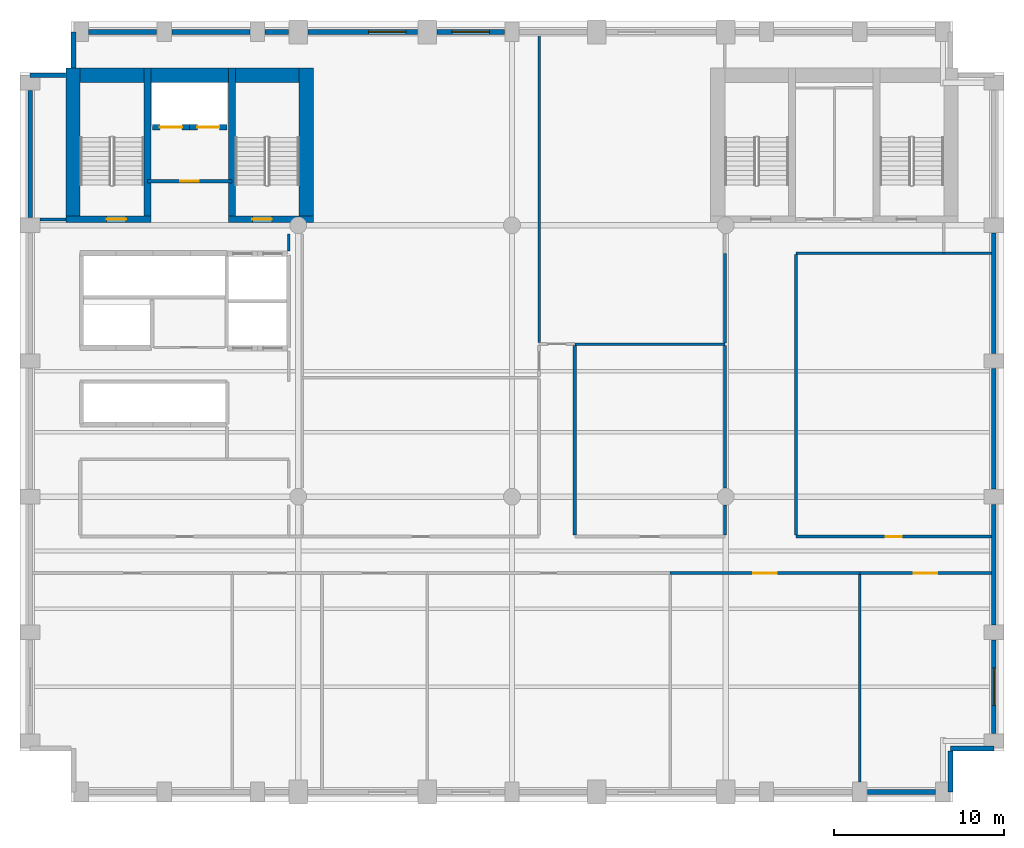
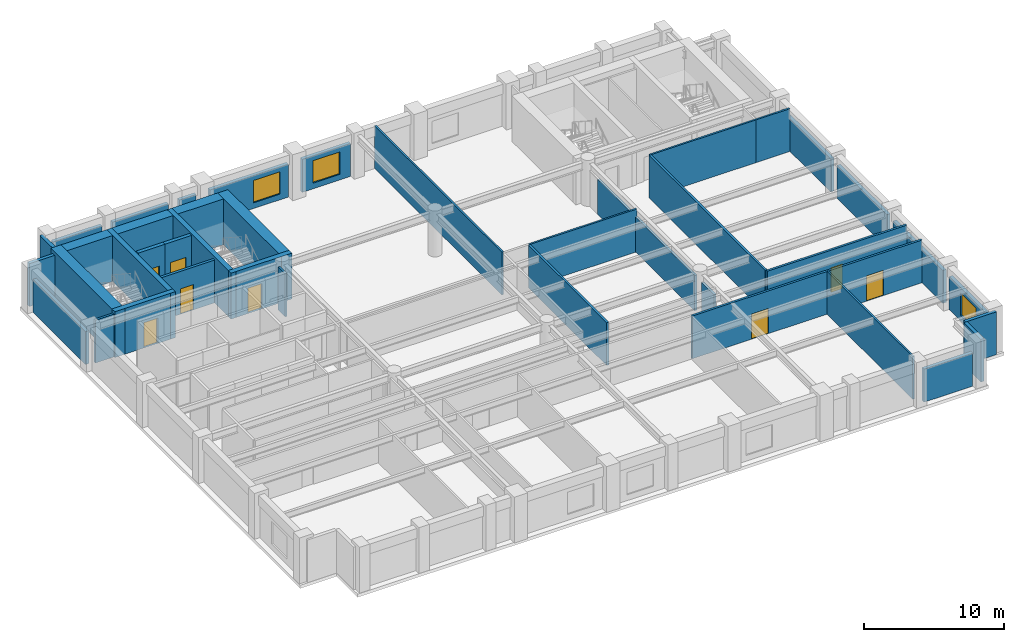
# One storey, part 4 of 7: 40 walls, 8 doors, 3 windows, 11 openings.
"""IFC4 building model written with IfcOpenShell, lengths in metres."""

import ifcopenshell
import ifcopenshell.guid

model = None  # the IFC model being written
_history = None  # IfcOwnerHistory: only IFC2X3 demands one
_inside = {}  # id of a spatial element -> (the spatial element, [elements in it])
_under = {}  # id of a project, library or spatial element -> (it, [spatial elements below it])
_declared = {}  # id of a project -> (the project, [libraries it declares])
_typed = {}  # id of a type object -> (the type object, [elements of that type])
_made_of = {}  # id of a material, layer set ... -> (it, [elements and type objects made of it])


def new_model(schema):
    """Start an empty IFC model of exactly this schema.

    Asked for "IFC4X3", IfcOpenShell would pick the latest addendum, in which some entities
    have other attributes; the version numbers below select the first issue.
    IFC2X3 requires an IfcOwnerHistory on every rooted entity: one is made here for all.
    """
    global model, _history
    if schema == "IFC4X3":
        model = ifcopenshell.file(schema_version=(4, 3, 0, 0))
    else:
        model = ifcopenshell.file(schema=schema)
    _inside.clear()
    _under.clear()
    _declared.clear()
    _typed.clear()
    _made_of.clear()
    _history = None
    if model.schema == "IFC2X3":
        org = make("IfcOrganization", Name="unknown")
        user = make(
            "IfcPersonAndOrganization",
            ThePerson=make("IfcPerson", FamilyName="unknown"),
            TheOrganization=org,
        )
        app = make(
            "IfcApplication",
            ApplicationDeveloper=org,
            Version="unknown",
            ApplicationFullName="unknown",
            ApplicationIdentifier="unknown",
        )
        _history = make(
            "IfcOwnerHistory",
            OwningUser=user,
            OwningApplication=app,
            ChangeAction="ADDED",
            CreationDate=0,
        )
    return model


def make(cls, **values):
    """One entity of the class cls with the attributes given. An attribute that is None is left unset."""
    return model.create_entity(
        cls, **{name: value for name, value in values.items() if value is not None}
    )


def rooted(cls, **values):
    """An entity with a GlobalId (a new one), such as an element, a storey or a relation."""
    return make(cls, GlobalId=ifcopenshell.guid.new(), OwnerHistory=_history, **values)


def si_unit(unit_type, name, prefix=None):
    """IfcSIUnit, for example si_unit("LENGTHUNIT", "METRE", prefix="MILLI")."""
    return make("IfcSIUnit", UnitType=unit_type, Prefix=prefix, Name=name)


def assignment(units):
    """IfcUnitAssignment: the units of a project."""
    return None if units is None else make("IfcUnitAssignment", Units=units)


def point(xyz):
    """IfcCartesianPoint."""
    return None if xyz is None else make("IfcCartesianPoint", Coordinates=xyz)


def direction(xyz):
    """IfcDirection."""
    return None if xyz is None else make("IfcDirection", DirectionRatios=xyz)


def frame(location, z_axis=None, x_axis=None):
    """IfcAxis2Placement3D, a coordinate frame: its origin and axes. An axis left out is left unset."""
    return make(
        "IfcAxis2Placement3D",
        Location=point(location),
        Axis=direction(z_axis),
        RefDirection=direction(x_axis),
    )


def frame_2d(location, x_axis=None):
    """IfcAxis2Placement2D, a coordinate frame in the plane: its origin and x axis."""
    return make(
        "IfcAxis2Placement2D", Location=point(location), RefDirection=direction(x_axis)
    )


def origin():
    """The frame at (0, 0, 0) with its axes left unset."""
    return frame((0.0, 0.0, 0.0))


def place(relative_to, where):
    """IfcLocalPlacement: puts the frame where relative to a parent placement (None: the world)."""
    return make(
        "IfcLocalPlacement", PlacementRelTo=relative_to, RelativePlacement=where
    )


def context(
    kind, dimensions, precision=None, world=None, true_north=None, identifier=None
):
    """IfcGeometricRepresentationContext, for example the 3D "Model" context."""
    return make(
        "IfcGeometricRepresentationContext",
        ContextIdentifier=identifier,
        ContextType=kind,
        CoordinateSpaceDimension=dimensions,
        Precision=precision,
        WorldCoordinateSystem=world,
        TrueNorth=true_north,
    )


def subcontext(parent, identifier, kind, view, scale=None):
    """IfcGeometricRepresentationSubContext, for example "Body" below "Model"."""
    return make(
        "IfcGeometricRepresentationSubContext",
        ContextIdentifier=identifier,
        ContextType=kind,
        ParentContext=parent,
        TargetScale=scale,
        TargetView=view,
    )


def project(units=None, contexts=None):
    """IfcProject with its units and contexts."""
    return rooted(
        "IfcProject",
        Name="project",
        RepresentationContexts=contexts,
        UnitsInContext=assignment(units),
    )


def spatial(cls, under=None, at=None, **own):
    """A site, building, storey or space (cls), placed at a placement, below another one or the project."""
    s = rooted(cls, ObjectPlacement=at, **own)
    if under is not None:
        _under.setdefault(under.id(), (under, []))[1].append(s)
    return s


def profile(cls, at=None, kind="AREA", **sizes):
    """A parametric profile (cls). Its sizes go by their IFC names, for example OverallWidth=200.0."""
    return make(cls, ProfileType=kind, Position=at, **sizes)


def rectangle(**sizes):
    """IfcRectangleProfileDef."""
    return profile("IfcRectangleProfileDef", **sizes)


def extrude(swept, where, along, depth):
    """IfcExtrudedAreaSolid: the profile swept, set in the frame where, extruded along a direction by depth."""
    return make(
        "IfcExtrudedAreaSolid",
        SweptArea=swept,
        Position=where,
        ExtrudedDirection=direction(along),
        Depth=depth,
    )


def shape(context_of_items, identifier, shape_type, items):
    """IfcShapeRepresentation: the items that make up one representation, for example the "Body"."""
    return make(
        "IfcShapeRepresentation",
        ContextOfItems=context_of_items,
        RepresentationIdentifier=identifier,
        RepresentationType=shape_type,
        Items=items,
    )


def material(Name=None, Category=None):
    """IfcMaterial."""
    return make("IfcMaterial", Name=Name, Category=Category)


def layer(
    of_material, thickness, ventilated=None, Name=None, Category=None, Priority=None
):
    """IfcMaterialLayer: one layer of a wall or slab, of a material (None: an air gap)."""
    return make(
        "IfcMaterialLayer",
        Material=of_material,
        LayerThickness=thickness,
        IsVentilated=ventilated,
        Name=Name,
        Category=Category,
        Priority=Priority,
    )


def layer_set(layers, Name=None):
    """IfcMaterialLayerSet."""
    return make("IfcMaterialLayerSet", MaterialLayers=layers, LayerSetName=Name)


def made_of(thing, what):
    """Note that an element or type object is made of a material, layer set ...; save() writes the relation."""
    if what is not None:
        _made_of.setdefault(what.id(), (what, []))[1].append(thing)
    return thing


def type_object(cls, material=None, **own):
    """A type object (cls), such as IfcWallType, which elements share."""
    return made_of(rooted(cls, **own), material)


def element(
    cls,
    number,
    at=None,
    inside=None,
    cuts=None,
    type_object=None,
    material=None,
    context=None,
    identifier="Body",
    shape_type=None,
    held_by="IfcProductDefinitionShape",
    body=None,
    shapes=None,
    **own,
):
    """One element of the class cls, such as IfcWall. Its Tag is "e" and its number.

    at: its placement. inside: the storey or other place that contains it. cuts: it is an
    opening in that element (IfcRelVoidsElement). A single representation is given by context,
    identifier, shape_type and body (its items); several are given by shapes. held_by: the class
    of the entity that holds the representations. save() writes the other relations.
    """
    e = rooted(cls, Tag="e%d" % number, ObjectPlacement=at, **own)
    if body is not None:
        shapes = [shape(context, identifier, shape_type, body)]
    if shapes is not None:
        e.Representation = make(held_by, Representations=shapes)
    if inside is not None:
        _inside.setdefault(inside.id(), (inside, []))[1].append(e)
    if cuts is not None:
        rooted(
            "IfcRelVoidsElement", RelatingBuildingElement=cuts, RelatedOpeningElement=e
        )
    if type_object is not None:
        _typed.setdefault(type_object.id(), (type_object, []))[1].append(e)
    return made_of(e, material)


def fill(opening, filler):
    """IfcRelFillsElement: the door or window that sits in an opening."""
    return rooted(
        "IfcRelFillsElement",
        RelatingOpeningElement=opening,
        RelatedBuildingElement=filler,
    )


def aggregate(whole, parts):
    """IfcRelAggregates: a whole, such as a stair, and the parts it consists of."""
    return rooted("IfcRelAggregates", RelatingObject=whole, RelatedObjects=parts)


def save(model, path):
    """Write the relations noted so far, then the file.

    IfcRelAggregates (storeys below a building ...), IfcRelContainedInSpatialStructure (elements
    in a storey), IfcRelDefinesByType, IfcRelAssociatesMaterial and IfcRelDeclares: one each for
    every whole, place, type object, material and project.
    """
    for whole, parts in _under.values():
        aggregate(whole, parts)
    for where, things in _inside.values():
        rooted(
            "IfcRelContainedInSpatialStructure",
            RelatedElements=things,
            RelatingStructure=where,
        )
    for kind, things in _typed.values():
        rooted("IfcRelDefinesByType", RelatedObjects=things, RelatingType=kind)
    for what, things in _made_of.values():
        rooted("IfcRelAssociatesMaterial", RelatedObjects=things, RelatingMaterial=what)
    for by, libraries in _declared.values():
        rooted("IfcRelDeclares", RelatingContext=by, RelatedDefinitions=libraries)
    model.write(path)


model = new_model("IFC4")

# Units and contexts
model_context = context("Model", 3, precision=1e-05, world=origin(), true_north=direction((0.0, 1.0)))
body_context = subcontext(model_context, "Body", "Model", "MODEL_VIEW")
ifc_project = project(units=[si_unit("LENGTHUNIT", "METRE"), si_unit("AREAUNIT", "SQUARE_METRE"), si_unit("VOLUMEUNIT", "CUBIC_METRE"), si_unit("PLANEANGLEUNIT", "RADIAN"), si_unit("MASSUNIT", "GRAM", prefix="KILO")], contexts=[model_context])

# Site, building, storey
site_placement = place(None, origin())
site = spatial("IfcSite", under=ifc_project, at=site_placement, CompositionType="ELEMENT")
building_placement = place(site_placement, origin())
building = spatial("IfcBuilding", under=site, at=building_placement, Name="Sulina Concourse Tower", CompositionType="ELEMENT")
storey_placement = place(building_placement, frame((0.0, 0.0, 92.60009765625)))
storey = spatial("IfcBuildingStorey", under=building, at=storey_placement, Name="L22", CompositionType="ELEMENT", Elevation=92.60009765625)

# Wall, opening, door
ifc_material_1 = material(Name="Concrete C50/60", Category="concrete")
ifc_layer_1 = layer(ifc_material_1, 0.300048828125)
ifc_layer_set_1 = layer_set([ifc_layer_1], Name="Concrete C50/60")
wall_type_1 = type_object("IfcWallType", Name="Core Lift Hoistway Wall 300mm", PredefinedType="SOLIDWALL", material=ifc_layer_set_1)
wall_1_placement = place(storey_placement, frame((10.0, 39.780029296875, 0.0), z_axis=(0.0, 0.0, 1.0), x_axis=(-1.0, 0.0, 0.0)))
wall_1 = element("IfcWall", 1, at=wall_1_placement, inside=storey, type_object=wall_type_1, Name="L22 hoistway enclosure wall FFL-1", PredefinedType="SOLIDWALL", context=body_context, shape_type="SweptSolid", body=[
    extrude(rectangle(XDim=2.199951171875, YDim=0.300048828125, at=frame_2d((1.10009765625, 0.0))), origin(), (0.0, 0.0, 1.0), 4.0),
])
opening_1_placement = place(wall_1_placement, frame((0.449951171875, 0.0, 0.0)))
opening_1 = element("IfcOpeningElement", 2, at=opening_1_placement, cuts=wall_1, Name="Opening LD-02", PredefinedType="OPENING", context=body_context, shape_type="SweptSolid", body=[
    extrude(rectangle(XDim=1.300048828125, YDim=2.25, at=frame_2d((0.64990234375, 1.125))), frame((0.0, 0.159912109375, 0.0), z_axis=(0.0, -1.0, 0.0), x_axis=(1.0, 0.0, 0.0)), (0.0, 0.0, 1.0), 0.320068359375),
])
ifc_material_2 = material(Name="Stainless steel lift landing door", Category="steel")
ifc_layer_2 = layer(ifc_material_2, 0.050048828125)
ifc_layer_set_2 = layer_set([ifc_layer_2], Name="Stainless steel lift landing door")
door_type_1 = type_object("IfcDoorType", Name="Firefighting Lift Sliding Landing Door 1300x2250", OperationType="SLIDING_TO_RIGHT", PredefinedType="DOOR", material=ifc_layer_set_2)
door_1_placement = place(opening_1_placement, origin())
door_1 = element("IfcDoor", 3, at=door_1_placement, inside=storey, type_object=door_type_1, Name="L22 lift landing sliding door FFL-1", OperationType="SLIDING_TO_LEFT", OverallHeight=2.25, OverallWidth=1.300048828125, PredefinedType="DOOR", context=body_context, shape_type="SweptSolid", body=[
    extrude(rectangle(XDim=1.300048828125, YDim=2.25, at=frame_2d((0.64990234375, 1.125))), frame((0.0, 0.02490234375, 0.0), z_axis=(0.0, -1.0, 0.0), x_axis=(1.0, 0.0, 0.0)), (0.0, 0.0, 1.0), 0.050048828125),
])
fill(opening_1, door_1)

wall_2_placement = place(storey_placement, frame((12.199951171875, 39.780029296875, 0.0), z_axis=(0.0, 0.0, 1.0), x_axis=(-1.0, 0.0, 0.0)))
wall_2 = element("IfcWall", 4, at=wall_2_placement, inside=storey, type_object=wall_type_1, Name="L22 hoistway enclosure wall FFL-2", PredefinedType="SOLIDWALL", context=body_context, shape_type="SweptSolid", body=[
    extrude(rectangle(XDim=2.199951171875, YDim=0.300048828125, at=frame_2d((1.10009765625, 0.0))), origin(), (0.0, 0.0, 1.0), 4.0),
])
opening_2_placement = place(wall_2_placement, frame((0.449951171875, 0.0, 0.0)))
opening_2 = element("IfcOpeningElement", 5, at=opening_2_placement, cuts=wall_2, Name="Opening LD-02", PredefinedType="OPENING", context=body_context, shape_type="SweptSolid", body=[
    extrude(rectangle(XDim=1.300048828125, YDim=2.25, at=frame_2d((0.64990234375, 1.125))), frame((0.0, 0.159912109375, 0.0), z_axis=(0.0, -1.0, 0.0), x_axis=(1.0, 0.0, 0.0)), (0.0, 0.0, 1.0), 0.320068359375),
])
door_2_placement = place(opening_2_placement, origin())
door_2 = element("IfcDoor", 6, at=door_2_placement, inside=storey, type_object=door_type_1, Name="L22 lift landing sliding door FFL-2", OperationType="SLIDING_TO_RIGHT", OverallHeight=2.25, OverallWidth=1.300048828125, PredefinedType="DOOR", context=body_context, shape_type="SweptSolid", body=[
    extrude(rectangle(XDim=1.300048828125, YDim=2.25, at=frame_2d((0.64990234375, 1.125))), frame((0.0, 0.02490234375, 0.0), z_axis=(0.0, -1.0, 0.0), x_axis=(1.0, 0.0, 0.0)), (0.0, 0.0, 1.0), 0.050048828125),
])
fill(opening_2, door_2)

ifc_material_3 = material(Name="Gypsum board on steel stud", Category="steel")
ifc_layer_3 = layer(ifc_material_3, 0.219970703125)
ifc_layer_set_3 = layer_set([ifc_layer_3], Name="Gypsum board on steel stud")
wall_type_2 = type_object("IfcWallType", Name="Fire-Rated Lobby & Compartment Wall 220mm", PredefinedType="PARTITIONING", material=ifc_layer_set_3)
wall_3_placement = place(storey_placement, frame((7.510009765625, 36.60009765625, 0.0), z_axis=(0.0, 0.0, 1.0), x_axis=(1.0, 0.0, 0.0)))
wall_3 = element("IfcWall", 7, at=wall_3_placement, inside=storey, type_object=wall_type_2, Name="L22 firefighting lobby south fire wall", PredefinedType="PARTITIONING", context=body_context, shape_type="SweptSolid", body=[
    extrude(rectangle(XDim=4.97998046875, YDim=0.219970703125, at=frame_2d((2.489990234375, 0.0))), origin(), (0.0, 0.0, 1.0), 3.724853515625),
])
opening_3_placement = place(wall_3_placement, frame((1.93994140625, 0.0, 0.0)))
opening_3 = element("IfcOpeningElement", 8, at=opening_3_placement, cuts=wall_3, Name="Opening DR-47", PredefinedType="OPENING", context=body_context, shape_type="SweptSolid", body=[
    extrude(rectangle(XDim=1.10009765625, YDim=2.199951171875, at=frame_2d((0.550048828125, 1.10009765625))), frame((0.0, 0.119873046875, 0.0), z_axis=(0.0, -1.0, 0.0), x_axis=(1.0, 0.0, 0.0)), (0.0, 0.0, 1.0), 0.239990234375),
])
ifc_material_4 = material(Name="Galvanised steel acoustic fire leaf", Category="steel")
ifc_layer_4 = layer(ifc_material_4, 0.054931640625)
ifc_layer_set_4 = layer_set([ifc_layer_4], Name="Galvanised steel acoustic fire leaf")
door_type_2 = type_object("IfcDoorType", Name="Firefighting Lobby Fire Door 1100x2200", OperationType="NOTDEFINED", PredefinedType="DOOR", material=ifc_layer_set_4)
door_3_placement = place(opening_3_placement, origin())
door_3 = element("IfcDoor", 9, at=door_3_placement, inside=storey, type_object=door_type_2, Name="L22 firefighting lobby fire door", OperationType="SINGLE_SWING_LEFT", OverallHeight=2.199951171875, OverallWidth=1.10009765625, PredefinedType="DOOR", context=body_context, shape_type="SweptSolid", body=[
    extrude(rectangle(XDim=1.10009765625, YDim=2.199951171875, at=frame_2d((0.550048828125, 1.10009765625))), frame((0.0, 0.02490234375, 0.0), z_axis=(0.0, -1.0, 0.0), x_axis=(1.0, 0.0, 0.0)), (0.0, 0.0, 1.0), 0.050048828125),
])
fill(opening_3, door_3)

# Walls
ifc_material_5 = material(Name="Gypsum board on steel stud", Category="steel")
ifc_layer_5 = layer(ifc_material_5, 0.14990234375)
ifc_layer_set_5 = layer_set([ifc_layer_5], Name="Gypsum board on steel stud")
wall_type_3 = type_object("IfcWallType", Name="Inter-Tenancy Acoustic Partition 150mm", PredefinedType="PARTITIONING", material=ifc_layer_set_5)
wall_4_placement = place(storey_placement, frame((32.699951171875, 27.0, 0.0), z_axis=(0.0, 0.0, 1.0), x_axis=(1.0, 0.0, 0.0)))
element("IfcWall", 10, at=wall_4_placement, inside=storey, type_object=wall_type_3, Name="L22 interior partition 017", PredefinedType="PARTITIONING", context=body_context, shape_type="SweptSolid", body=[
    extrude(rectangle(XDim=8.85009765625, YDim=0.14990234375, at=frame_2d((4.425048828125, 0.0))), origin(), (0.0, 0.0, 1.0), 3.724853515625),
])
wall_5_placement = place(storey_placement, frame((45.75, 32.35009765625, 0.0), z_axis=(0.0, 0.0, 1.0), x_axis=(1.0, 0.0, 0.0)))
element("IfcWall", 11, at=wall_5_placement, inside=storey, type_object=wall_type_3, Name="L22 interior partition 018", PredefinedType="PARTITIONING", context=body_context, shape_type="SweptSolid", body=[
    extrude(rectangle(XDim=8.699951171875, YDim=0.14990234375, at=frame_2d((4.35009765625, 0.0))), origin(), (0.0, 0.0, 1.0), 3.724853515625),
])
wall_6_placement = place(storey_placement, frame((54.449951171875, 32.35009765625, 0.0), z_axis=(0.0, 0.0, 1.0), x_axis=(1.0, 0.0, 0.0)))
element("IfcWall", 12, at=wall_6_placement, inside=storey, type_object=wall_type_3, Name="L22 interior partition 019", PredefinedType="PARTITIONING", context=body_context, shape_type="SweptSolid", body=[
    extrude(rectangle(XDim=2.81005859375, YDim=0.14990234375, at=frame_2d((1.405029296875, 0.0))), origin(), (0.0, 0.0, 1.0), 3.724853515625),
])
wall_7_placement = place(storey_placement, frame((15.85009765625, 32.469970703125, 0.0), z_axis=(0.0, 0.0, 1.0), x_axis=(0.0, 1.0, 0.0)))
element("IfcWall", 13, at=wall_7_placement, inside=storey, type_object=wall_type_3, Name="L22 interior partition 029", PredefinedType="PARTITIONING", context=body_context, shape_type="SweptSolid", body=[
    extrude(rectangle(XDim=1.030029296875, YDim=0.14990234375, at=frame_2d((0.51513671875, 0.0))), origin(), (0.0, 0.0, 1.0), 3.724853515625),
])
wall_8_placement = place(storey_placement, frame((30.60009765625, 27.090087890625, 0.0), z_axis=(0.0, 0.0, 1.0), x_axis=(0.0, 1.0, 0.0)))
element("IfcWall", 14, at=wall_8_placement, inside=storey, type_object=wall_type_3, Name="L22 interior partition 037", PredefinedType="PARTITIONING", context=body_context, shape_type="SweptSolid", body=[
    extrude(rectangle(XDim=18.169921875, YDim=0.14990234375, at=frame_2d((9.0849609375, 0.0))), origin(), (0.0, 0.0, 1.0), 3.724853515625),
])
wall_9_placement = place(storey_placement, frame((49.5, 1.175048828125, 0.0), z_axis=(0.0, 0.0, 1.0), x_axis=(0.0, 1.0, 0.0)))
element("IfcWall", 15, at=wall_9_placement, inside=storey, type_object=wall_type_3, Name="L22 interior partition 047", PredefinedType="PARTITIONING", context=body_context, shape_type="SweptSolid", body=[
    extrude(rectangle(XDim=12.23486328125, YDim=0.14990234375, at=frame_2d((6.117431640625, 0.0))), origin(), (0.0, 0.0, 1.0), 3.724853515625),
])

# Wall, opening, door
ifc_material_6 = material(Name="Gypsum board on steel stud", Category="steel")
ifc_layer_6 = layer(ifc_material_6, 0.179931640625)
ifc_layer_set_6 = layer_set([ifc_layer_6], Name="Gypsum board on steel stud")
wall_type_4 = type_object("IfcWallType", Name="Protected Corridor & Riser Partition 180mm", PredefinedType="PARTITIONING", material=ifc_layer_set_6)
wall_10_placement = place(storey_placement, frame((38.320068359375, 13.5, 0.0), z_axis=(0.0, 0.0, 1.0), x_axis=(1.0, 0.0, 0.0)))
wall_10 = element("IfcWall", 16, at=wall_10_placement, inside=storey, type_object=wall_type_4, Name="L22 interior partition 005", PredefinedType="PARTITIONING", context=body_context, shape_type="SweptSolid", body=[
    extrude(rectangle(XDim=11.179931640625, YDim=0.179931640625, at=frame_2d((5.58984375, 0.0))), origin(), (0.0, 0.0, 1.0), 3.724853515625),
])
opening_4_placement = place(wall_10_placement, frame((4.889892578125, 0.0, 0.0)))
opening_4 = element("IfcOpeningElement", 17, at=opening_4_placement, cuts=wall_10, Name="Opening DR-57", PredefinedType="OPENING", context=body_context, shape_type="SweptSolid", body=[
    extrude(rectangle(XDim=1.39990234375, YDim=2.199951171875, at=frame_2d((0.699951171875, 1.10009765625))), frame((0.0, 0.099853515625, 0.0), z_axis=(0.0, -1.0, 0.0), x_axis=(1.0, 0.0, 0.0)), (0.0, 0.0, 1.0), 0.199951171875),
])
ifc_material_7 = material(Name="Oak-veneered fire door leaf")
ifc_layer_7 = layer(ifc_material_7, 0.054931640625)
ifc_layer_set_7 = layer_set([ifc_layer_7], Name="Oak-veneered fire door leaf")
door_type_3 = type_object("IfcDoorType", Name="Core Lift Lobby Double Fire Door 1400x2200", OperationType="DOUBLE_DOOR_SINGLE_SWING", PredefinedType="DOOR", material=ifc_layer_set_7)
door_4_placement = place(opening_4_placement, origin())
door_4 = element("IfcDoor", 18, at=door_4_placement, inside=storey, type_object=door_type_3, Name="L22 interior door L22-S04", OperationType="DOUBLE_DOOR_SINGLE_SWING", OverallHeight=2.199951171875, OverallWidth=1.39990234375, PredefinedType="DOOR", context=body_context, shape_type="SweptSolid", body=[
    extrude(rectangle(XDim=1.39990234375, YDim=2.199951171875, at=frame_2d((0.699951171875, 1.10009765625))), frame((0.0, 0.02490234375, 0.0), z_axis=(0.0, -1.0, 0.0), x_axis=(1.0, 0.0, 0.0)), (0.0, 0.0, 1.0), 0.050048828125),
])
fill(opening_4, door_4)

wall_11_placement = place(storey_placement, frame((49.5, 13.5, 0.0), z_axis=(0.0, 0.0, 1.0), x_axis=(1.0, 0.0, 0.0)))
wall_11 = element("IfcWall", 19, at=wall_11_placement, inside=storey, type_object=wall_type_4, Name="L22 interior partition 006", PredefinedType="PARTITIONING", context=body_context, shape_type="SweptSolid", body=[
    extrude(rectangle(XDim=7.760009765625, YDim=0.179931640625, at=frame_2d((3.8798828125, 0.0))), origin(), (0.0, 0.0, 1.0), 3.724853515625),
])
opening_5_placement = place(wall_11_placement, frame((3.179931640625, 0.0, 0.0)))
opening_5 = element("IfcOpeningElement", 20, at=opening_5_placement, cuts=wall_11, Name="Opening DR-57", PredefinedType="OPENING", context=body_context, shape_type="SweptSolid", body=[
    extrude(rectangle(XDim=1.39990234375, YDim=2.199951171875, at=frame_2d((0.699951171875, 1.10009765625))), frame((0.0, 0.099853515625, 0.0), z_axis=(0.0, -1.0, 0.0), x_axis=(1.0, 0.0, 0.0)), (0.0, 0.0, 1.0), 0.199951171875),
])
door_5_placement = place(opening_5_placement, origin())
door_5 = element("IfcDoor", 21, at=door_5_placement, inside=storey, type_object=door_type_3, Name="L22 interior door L22-S05", OperationType="DOUBLE_DOOR_SINGLE_SWING", OverallHeight=2.199951171875, OverallWidth=1.39990234375, PredefinedType="DOOR", context=body_context, shape_type="SweptSolid", body=[
    extrude(rectangle(XDim=1.39990234375, YDim=2.199951171875, at=frame_2d((0.699951171875, 1.10009765625))), frame((0.0, 0.02490234375, 0.0), z_axis=(0.0, -1.0, 0.0), x_axis=(1.0, 0.0, 0.0)), (0.0, 0.0, 1.0), 0.050048828125),
])
fill(opening_5, door_5)

wall_12_placement = place(storey_placement, frame((45.75, 15.64990234375, 0.0), z_axis=(0.0, 0.0, 1.0), x_axis=(1.0, 0.0, 0.0)))
wall_12 = element("IfcWall", 22, at=wall_12_placement, inside=storey, type_object=wall_type_4, Name="L22 interior partition 011", PredefinedType="PARTITIONING", context=body_context, shape_type="SweptSolid", body=[
    extrude(rectangle(XDim=11.510009765625, YDim=0.179931640625, at=frame_2d((5.7548828125, 0.0))), origin(), (0.0, 0.0, 1.0), 3.724853515625),
])
opening_6_placement = place(wall_12_placement, frame((5.280029296875, 0.0, 0.0)))
opening_6 = element("IfcOpeningElement", 23, at=opening_6_placement, cuts=wall_12, Name="Opening DR-19", PredefinedType="OPENING", context=body_context, shape_type="SweptSolid", body=[
    extrude(rectangle(XDim=0.949951171875, YDim=2.14990234375, at=frame_2d((0.47509765625, 1.074951171875))), frame((0.0, 0.099853515625, 0.0), z_axis=(0.0, -1.0, 0.0), x_axis=(1.0, 0.0, 0.0)), (0.0, 0.0, 1.0), 0.199951171875),
])
ifc_material_8 = material(Name="Oak-veneered acoustic timber leaf", Category="wood")
ifc_layer_8 = layer(ifc_material_8, 0.050048828125)
ifc_layer_set_8 = layer_set([ifc_layer_8], Name="Oak-veneered acoustic timber leaf")
door_type_4 = type_object("IfcDoorType", Name="Cellular Office & Meeting Door 950x2150", OperationType="NOTDEFINED", PredefinedType="DOOR", material=ifc_layer_set_8)
door_6_placement = place(opening_6_placement, origin())
door_6 = element("IfcDoor", 24, at=door_6_placement, inside=storey, type_object=door_type_4, Name="L22 interior door L22-NE1", OperationType="SINGLE_SWING_LEFT", OverallHeight=2.14990234375, OverallWidth=0.949951171875, PredefinedType="DOOR", context=body_context, shape_type="SweptSolid", body=[
    extrude(rectangle(XDim=0.949951171875, YDim=2.14990234375, at=frame_2d((0.47509765625, 1.074951171875))), frame((0.0, 0.02490234375, 0.0), z_axis=(0.0, -1.0, 0.0), x_axis=(1.0, 0.0, 0.0)), (0.0, 0.0, 1.0), 0.050048828125),
])
fill(opening_6, door_6)

# Walls
wall_13_placement = place(storey_placement, frame((1.175048828125, 34.35009765625, 0.0), z_axis=(0.0, 0.0, 1.0), x_axis=(1.0, 0.0, 0.0)))
element("IfcWall", 25, at=wall_13_placement, inside=storey, type_object=wall_type_4, Name="L22 interior partition 020", PredefinedType="PARTITIONING", context=body_context, shape_type="SweptSolid", body=[
    extrude(rectangle(XDim=1.52490234375, YDim=0.179931640625, at=frame_2d((0.762451171875, 0.0))), origin(), (0.0, 0.0, 1.0), 3.724853515625),
])
wall_14_placement = place(storey_placement, frame((32.699951171875, 15.739990234375, 0.0), z_axis=(0.0, 0.0, 1.0), x_axis=(0.0, 1.0, 0.0)))
element("IfcWall", 26, at=wall_14_placement, inside=storey, type_object=wall_type_4, Name="L22 interior partition 038", PredefinedType="PARTITIONING", context=body_context, shape_type="SweptSolid", body=[
    extrude(rectangle(XDim=11.169921875, YDim=0.179931640625, at=frame_2d((5.5849609375, 0.0))), origin(), (0.0, 0.0, 1.0), 3.724853515625),
])
wall_15_placement = place(storey_placement, frame((41.550048828125, 15.739990234375, 0.0), z_axis=(0.0, 0.0, 1.0), x_axis=(0.0, 1.0, 0.0)))
element("IfcWall", 27, at=wall_15_placement, inside=storey, type_object=wall_type_4, Name="L22 interior partition 040", PredefinedType="PARTITIONING", context=body_context, shape_type="SweptSolid", body=[
    extrude(rectangle(XDim=1.760009765625, YDim=0.179931640625, at=frame_2d((0.8798828125, 0.0))), origin(), (0.0, 0.0, 1.0), 3.06982421875),
])
wall_16_placement = place(storey_placement, frame((41.550048828125, 18.5, 0.0), z_axis=(0.0, 0.0, 1.0), x_axis=(0.0, 1.0, 0.0)))
element("IfcWall", 28, at=wall_16_placement, inside=storey, type_object=wall_type_4, Name="L22 interior partition 041", PredefinedType="PARTITIONING", context=body_context, shape_type="SweptSolid", body=[
    extrude(rectangle(XDim=8.425048828125, YDim=0.179931640625, at=frame_2d((4.21240234375, 0.0))), origin(), (0.0, 0.0, 1.0), 3.06982421875),
])
wall_17_placement = place(storey_placement, frame((41.550048828125, 27.074951171875, 0.0), z_axis=(0.0, 0.0, 1.0), x_axis=(0.0, 1.0, 0.0)))
element("IfcWall", 29, at=wall_17_placement, inside=storey, type_object=wall_type_4, Name="L22 interior partition 042", PredefinedType="PARTITIONING", context=body_context, shape_type="SweptSolid", body=[
    extrude(rectangle(XDim=5.275146484375, YDim=0.179931640625, at=frame_2d((2.6376953125, 0.0))), origin(), (0.0, 0.0, 1.0), 3.06982421875),
])
wall_18_placement = place(storey_placement, frame((45.75, 15.739990234375, 0.0), z_axis=(0.0, 0.0, 1.0), x_axis=(0.0, 1.0, 0.0)))
element("IfcWall", 30, at=wall_18_placement, inside=storey, type_object=wall_type_4, Name="L22 interior partition 045", PredefinedType="PARTITIONING", context=body_context, shape_type="SweptSolid", body=[
    extrude(rectangle(XDim=16.534912109375, YDim=0.179931640625, at=frame_2d((8.267578125, 0.0))), origin(), (0.0, 0.0, 1.0), 3.724853515625),
])

# Wall, opening, door
ifc_material_9 = material(Name="Concrete C60/75", Category="concrete")
ifc_layer_9 = layer(ifc_material_9, 0.39990234375)
ifc_layer_set_9 = layer_set([ifc_layer_9], Name="Concrete C60/75")
wall_type_5 = type_object("IfcWallType", Name="Protected Stair Core Shear Wall 400mm", PredefinedType="SHEAR", material=ifc_layer_set_9)
wall_19_placement = place(storey_placement, frame((2.699951171875, 34.35009765625, 0.0), z_axis=(0.0, 0.0, 1.0), x_axis=(1.0, 0.0, 0.0)))
wall_19 = element("IfcWall", 31, at=wall_19_placement, inside=storey, type_object=wall_type_5, Name="L22 west core shear wall CW-WS1", PredefinedType="SHEAR", context=body_context, shape_type="SweptSolid", body=[
    extrude(rectangle(XDim=5.010009765625, YDim=0.39990234375, at=frame_2d((2.5048828125, 0.0))), origin(), (0.0, 0.0, 1.0), 4.0),
])
opening_7_placement = place(wall_19_placement, frame((2.39990234375, 0.0, 0.0)))
opening_7 = element("IfcOpeningElement", 32, at=opening_7_placement, cuts=wall_19, Name="Opening DR-60", PredefinedType="OPENING", context=body_context, shape_type="SweptSolid", body=[
    extrude(rectangle(XDim=1.14990234375, YDim=2.199951171875, at=frame_2d((0.574951171875, 1.10009765625))), frame((0.0, 0.2099609375, 0.0), z_axis=(0.0, -1.0, 0.0), x_axis=(1.0, 0.0, 0.0)), (0.0, 0.0, 1.0), 0.419921875),
])
ifc_material_10 = material(Name="Galvanised steel acoustic fire leaf", Category="steel")
ifc_layer_10 = layer(ifc_material_10, 0.054931640625)
ifc_layer_set_10 = layer_set([ifc_layer_10], Name="Galvanised steel acoustic fire leaf")
door_type_5 = type_object("IfcDoorType", Name="Protected Exit Stair Fire Door 1150x2200", OperationType="NOTDEFINED", PredefinedType="DOOR", material=ifc_layer_set_10)
door_7_placement = place(opening_7_placement, origin())
door_7 = element("IfcDoor", 33, at=door_7_placement, inside=storey, type_object=door_type_5, Name="L22 stair ST-1 lobby fire door", OperationType="SINGLE_SWING_LEFT", OverallHeight=2.199951171875, OverallWidth=1.14990234375, PredefinedType="DOOR", context=body_context, shape_type="SweptSolid", body=[
    extrude(rectangle(XDim=1.14990234375, YDim=2.199951171875, at=frame_2d((0.574951171875, 1.10009765625))), frame((0.0, 0.02490234375, 0.0), z_axis=(0.0, -1.0, 0.0), x_axis=(1.0, 0.0, 0.0)), (0.0, 0.0, 1.0), 0.050048828125),
])
fill(opening_7, door_7)

wall_20_placement = place(storey_placement, frame((12.2900390625, 34.35009765625, 0.0), z_axis=(0.0, 0.0, 1.0), x_axis=(1.0, 0.0, 0.0)))
wall_20 = element("IfcWall", 34, at=wall_20_placement, inside=storey, type_object=wall_type_5, Name="L22 west core shear wall CW-WS2", PredefinedType="SHEAR", context=body_context, shape_type="SweptSolid", body=[
    extrude(rectangle(XDim=5.010009765625, YDim=0.39990234375, at=frame_2d((2.5048828125, 0.0))), origin(), (0.0, 0.0, 1.0), 4.0),
])
opening_8_placement = place(wall_20_placement, frame((1.39990234375, 0.0, 0.0)))
opening_8 = element("IfcOpeningElement", 35, at=opening_8_placement, cuts=wall_20, Name="Opening DR-60", PredefinedType="OPENING", context=body_context, shape_type="SweptSolid", body=[
    extrude(rectangle(XDim=1.14990234375, YDim=2.199951171875, at=frame_2d((0.574951171875, 1.10009765625))), frame((0.0, 0.2099609375, 0.0), z_axis=(0.0, -1.0, 0.0), x_axis=(1.0, 0.0, 0.0)), (0.0, 0.0, 1.0), 0.419921875),
])
door_8_placement = place(opening_8_placement, origin())
door_8 = element("IfcDoor", 36, at=door_8_placement, inside=storey, type_object=door_type_5, Name="L22 stair ST-2 lobby fire door", OperationType="SINGLE_SWING_RIGHT", OverallHeight=2.199951171875, OverallWidth=1.14990234375, PredefinedType="DOOR", context=body_context, shape_type="SweptSolid", body=[
    extrude(rectangle(XDim=1.14990234375, YDim=2.199951171875, at=frame_2d((0.574951171875, 1.10009765625))), frame((0.0, 0.02490234375, 0.0), z_axis=(0.0, -1.0, 0.0), x_axis=(1.0, 0.0, 0.0)), (0.0, 0.0, 1.0), 0.050048828125),
])
fill(opening_8, door_8)

# Walls
for number, where, z_axis, x_axis, name in (
    (37, (7.510009765625, 34.14990234375, 0.0), (0.0, 0.0, 1.0), (0.0, 1.0, 0.0), "L22 west core shear wall SW-ST1"),
    (38, (12.489990234375, 34.14990234375, 0.0), (0.0, 0.0, 1.0), (0.0, 1.0, 0.0), "L22 west core shear wall SW-ST2"),
):
    element("IfcWall", number, at=place(storey_placement, frame(where, z_axis=z_axis, x_axis=x_axis)), inside=storey, type_object=wall_type_5, Name=name, PredefinedType="SHEAR", context=body_context, shape_type="SweptSolid", body=[
        extrude(rectangle(XDim=9.130126953125, YDim=0.39990234375, at=frame_2d((4.56494140625, 0.0))), origin(), (0.0, 0.0, 1.0), 4.0),
    ])
ifc_material_11 = material(Name="Concrete C60/75", Category="concrete")
ifc_layer_11 = layer(ifc_material_11, 0.85009765625)
ifc_layer_set_11 = layer_set([ifc_layer_11], Name="Concrete C60/75")
wall_type_6 = type_object("IfcWallType", Name="Rear Core Shear Wall 850mm", PredefinedType="SHEAR", material=ifc_layer_set_11)
wall_21_placement = place(storey_placement, frame((2.699951171875, 42.85498046875, 0.0), z_axis=(0.0, 0.0, 1.0), x_axis=(1.0, 0.0, 0.0)))
element("IfcWall", 39, at=wall_21_placement, inside=storey, type_object=wall_type_6, Name="L22 west core shear wall CW-WN", PredefinedType="SHEAR", context=body_context, shape_type="SweptSolid", body=[
    extrude(rectangle(XDim=14.60009765625, YDim=0.85009765625, at=frame_2d((7.300048828125, 0.0))), origin(), (0.0, 0.0, 1.0), 4.0),
])
for number, where, z_axis, x_axis, name in (
    (40, (3.125, 34.14990234375, 0.0), (0.0, 0.0, 1.0), (0.0, 1.0, 0.0), "L22 west core shear wall CW-WW"),
    (41, (16.875, 34.14990234375, 0.0), (0.0, 0.0, 1.0), (0.0, 1.0, 0.0), "L22 west core shear wall CW-WE"),
):
    element("IfcWall", number, at=place(storey_placement, frame(where, z_axis=z_axis, x_axis=x_axis)), inside=storey, type_object=wall_type_6, Name=name, PredefinedType="SHEAR", context=body_context, shape_type="SweptSolid", body=[
        extrude(rectangle(XDim=9.130126953125, YDim=0.85009765625, at=frame_2d((4.56494140625, 0.0))), origin(), (0.0, 0.0, 1.0), 4.0),
    ])
ifc_material_12 = material(Name="Precast concrete C50/60", Category="concrete")
ifc_layer_12 = layer(ifc_material_12, 0.280029296875)
ifc_layer_set_12 = layer_set([ifc_layer_12], Name="Precast concrete C50/60")
wall_type_7 = type_object("IfcWallType", Name="Typical Precast Masonry-Frame Facade Wall 280mm", PredefinedType="SOLIDWALL", material=ifc_layer_set_12)
wall_22_placement = place(storey_placement, frame((53.955078125, 0.60009765625, 0.0), z_axis=(0.0, 0.0, 1.0), x_axis=(-1.0, 0.0, 0.0)))
element("IfcWall", 42, at=wall_22_placement, inside=storey, type_object=wall_type_7, Name="L22 exterior precast wall S10", PredefinedType="SOLIDWALL", context=body_context, shape_type="SweptSolid", body=[
    extrude(rectangle(XDim=4.010009765625, YDim=0.280029296875, at=frame_2d((2.0048828125, 0.0))), origin(), (0.0, 0.0, 1.0), 2.875),
])
wall_23_placement = place(storey_placement, frame((0.60009765625, 34.445068359375, 0.0), z_axis=(0.0, 0.0, 1.0), x_axis=(0.0, 1.0, 0.0)))
element("IfcWall", 43, at=wall_23_placement, inside=storey, type_object=wall_type_7, Name="L22 exterior precast wall W5", PredefinedType="SOLIDWALL", context=body_context, shape_type="SweptSolid", body=[
    extrude(rectangle(XDim=7.510009765625, YDim=0.280029296875, at=frame_2d((3.7548828125, 0.0))), origin(), (0.0, 0.0, 1.0), 2.875),
])
wall_24_placement = place(storey_placement, frame((4.044921875, 45.39990234375, 0.0), z_axis=(0.0, 0.0, 1.0), x_axis=(1.0, 0.0, 0.0)))
element("IfcWall", 44, at=wall_24_placement, inside=storey, type_object=wall_type_7, Name="L22 exterior precast wall N1", PredefinedType="SOLIDWALL", context=body_context, shape_type="SweptSolid", body=[
    extrude(rectangle(XDim=4.010009765625, YDim=0.280029296875, at=frame_2d((2.0048828125, 0.0))), origin(), (0.0, 0.0, 1.0), 2.875),
])
wall_25_placement = place(storey_placement, frame((8.945068359375, 45.39990234375, 0.0), z_axis=(0.0, 0.0, 1.0), x_axis=(1.0, 0.0, 0.0)))
element("IfcWall", 45, at=wall_25_placement, inside=storey, type_object=wall_type_7, Name="L22 exterior precast wall N2", PredefinedType="SOLIDWALL", context=body_context, shape_type="SweptSolid", body=[
    extrude(rectangle(XDim=4.60986328125, YDim=0.280029296875, at=frame_2d((2.304931640625, 0.0))), origin(), (0.0, 0.0, 1.0), 2.875),
])
wall_26_placement = place(storey_placement, frame((14.445068359375, 45.39990234375, 0.0), z_axis=(0.0, 0.0, 1.0), x_axis=(1.0, 0.0, 0.0)))
element("IfcWall", 46, at=wall_26_placement, inside=storey, type_object=wall_type_7, Name="L22 exterior precast wall N3", PredefinedType="SOLIDWALL", context=body_context, shape_type="SweptSolid", body=[
    extrude(rectangle(XDim=1.385009765625, YDim=0.280029296875, at=frame_2d((0.6923828125, 0.0))), origin(), (0.0, 0.0, 1.0), 2.875),
])

# Wall, opening, window
wall_27_placement = place(storey_placement, frame((16.969970703125, 45.39990234375, 0.0), z_axis=(0.0, 0.0, 1.0), x_axis=(1.0, 0.0, 0.0)))
wall_27 = element("IfcWall", 47, at=wall_27_placement, inside=storey, type_object=wall_type_7, Name="L22 exterior precast wall N4", PredefinedType="SOLIDWALL", context=body_context, shape_type="SweptSolid", body=[
    extrude(rectangle(XDim=6.4599609375, YDim=0.280029296875, at=frame_2d((3.22998046875, 0.0))), origin(), (0.0, 0.0, 1.0), 2.875),
])
opening_9_placement = place(wall_27_placement, frame((3.5732421875, 0.0, 0.5)))
opening_9 = element("IfcOpeningElement", 48, at=opening_9_placement, cuts=wall_27, Name="Opening WN-76", PredefinedType="OPENING", context=body_context, shape_type="SweptSolid", body=[
    extrude(rectangle(XDim=2.199951171875, YDim=1.949951171875, at=frame_2d((1.10009765625, 0.97509765625))), frame((0.0, 0.14990234375, 0.0), z_axis=(0.0, -1.0, 0.0), x_axis=(1.0, 0.0, 0.0)), (0.0, 0.0, 1.0), 0.300048828125),
])
ifc_material_13 = material(Name="Low-E solar double glazing in bronze aluminium", Category="aluminium")
window_type = type_object("IfcWindowType", Name="Recessed Spandrel Window 2200x1950", PartitioningType="DOUBLE_PANEL_VERTICAL", PredefinedType="WINDOW", material=ifc_material_13)
window_1_placement = place(opening_9_placement, origin())
window_1 = element("IfcWindow", 49, at=window_1_placement, inside=storey, type_object=window_type, Name="L22 punched window N4-1", OverallHeight=1.949951171875, OverallWidth=2.199951171875, PartitioningType="SINGLE_PANEL", PredefinedType="WINDOW", context=body_context, shape_type="SweptSolid", body=[
    extrude(rectangle(XDim=2.199951171875, YDim=1.949951171875, at=frame_2d((1.10009765625, 0.97509765625))), frame((0.0, 0.030029296875, 0.0), z_axis=(0.0, -1.0, 0.0), x_axis=(1.0, 0.0, 0.0)), (0.0, 0.0, 1.0), 0.06005859375),
])
fill(opening_9, window_1)

wall_28_placement = place(storey_placement, frame((24.570068359375, 45.39990234375, 0.0), z_axis=(0.0, 0.0, 1.0), x_axis=(1.0, 0.0, 0.0)))
wall_28 = element("IfcWall", 50, at=wall_28_placement, inside=storey, type_object=wall_type_7, Name="L22 exterior precast wall N5", PredefinedType="SOLIDWALL", context=body_context, shape_type="SweptSolid", body=[
    extrude(rectangle(XDim=3.98486328125, YDim=0.280029296875, at=frame_2d((1.992431640625, 0.0))), origin(), (0.0, 0.0, 1.0), 2.875),
])
opening_10_placement = place(wall_28_placement, frame((0.892578125, 0.0, 0.5)))
opening_10 = element("IfcOpeningElement", 51, at=opening_10_placement, cuts=wall_28, Name="Opening WN-76", PredefinedType="OPENING", context=body_context, shape_type="SweptSolid", body=[
    extrude(rectangle(XDim=2.199951171875, YDim=1.949951171875, at=frame_2d((1.10009765625, 0.97509765625))), frame((0.0, 0.14990234375, 0.0), z_axis=(0.0, -1.0, 0.0), x_axis=(1.0, 0.0, 0.0)), (0.0, 0.0, 1.0), 0.300048828125),
])
window_2_placement = place(opening_10_placement, origin())
window_2 = element("IfcWindow", 52, at=window_2_placement, inside=storey, type_object=window_type, Name="L22 punched window N5-1", OverallHeight=1.949951171875, OverallWidth=2.199951171875, PartitioningType="SINGLE_PANEL", PredefinedType="WINDOW", context=body_context, shape_type="SweptSolid", body=[
    extrude(rectangle(XDim=2.199951171875, YDim=1.949951171875, at=frame_2d((1.10009765625, 0.97509765625))), frame((0.0, 0.030029296875, 0.0), z_axis=(0.0, -1.0, 0.0), x_axis=(1.0, 0.0, 0.0)), (0.0, 0.0, 1.0), 0.06005859375),
])
fill(opening_10, window_2)

wall_29_placement = place(storey_placement, frame((57.39990234375, 9.554931640625, 0.0), z_axis=(0.0, 0.0, 1.0), x_axis=(0.0, -1.0, 0.0)))
wall_29 = element("IfcWall", 53, at=wall_29_placement, inside=storey, type_object=wall_type_7, Name="L22 exterior precast wall E1", PredefinedType="SOLIDWALL", context=body_context, shape_type="SweptSolid", body=[
    extrude(rectangle(XDim=5.510009765625, YDim=0.280029296875, at=frame_2d((2.7548828125, 0.0))), origin(), (0.0, 0.0, 1.0), 2.875),
])
opening_11_placement = place(wall_29_placement, frame((1.655029296875, 0.0, 0.5)))
opening_11 = element("IfcOpeningElement", 54, at=opening_11_placement, cuts=wall_29, Name="Opening WN-76", PredefinedType="OPENING", context=body_context, shape_type="SweptSolid", body=[
    extrude(rectangle(XDim=2.199951171875, YDim=1.949951171875, at=frame_2d((1.10009765625, 0.97509765625))), frame((0.0, 0.14990234375, 0.0), z_axis=(0.0, -1.0, 0.0), x_axis=(1.0, 0.0, 0.0)), (0.0, 0.0, 1.0), 0.300048828125),
])
window_3_placement = place(opening_11_placement, origin())
window_3 = element("IfcWindow", 55, at=window_3_placement, inside=storey, type_object=window_type, Name="L22 punched window E1-1", OverallHeight=1.949951171875, OverallWidth=2.199951171875, PartitioningType="SINGLE_PANEL", PredefinedType="WINDOW", context=body_context, shape_type="SweptSolid", body=[
    extrude(rectangle(XDim=2.199951171875, YDim=1.949951171875, at=frame_2d((1.10009765625, 0.97509765625))), frame((0.0, 0.030029296875, 0.0), z_axis=(0.0, -1.0, 0.0), x_axis=(1.0, 0.0, 0.0)), (0.0, 0.0, 1.0), 0.06005859375),
])
fill(opening_11, window_3)

# Walls
for number, where, z_axis, x_axis, name in (
    (56, (57.39990234375, 17.554931640625, 0.0), (0.0, 0.0, 1.0), (0.0, -1.0, 0.0), "L22 exterior precast wall E2"),
    (57, (57.39990234375, 25.554931640625, 0.0), (0.0, 0.0, 1.0), (0.0, -1.0, 0.0), "L22 exterior precast wall E3"),
    (58, (57.39990234375, 33.554931640625, 0.0), (0.0, 0.0, 1.0), (0.0, -1.0, 0.0), "L22 exterior precast wall E4"),
):
    element("IfcWall", number, at=place(storey_placement, frame(where, z_axis=z_axis, x_axis=x_axis)), inside=storey, type_object=wall_type_7, Name=name, PredefinedType="SOLIDWALL", context=body_context, shape_type="SweptSolid", body=[
        extrude(rectangle(XDim=7.10986328125, YDim=0.280029296875, at=frame_2d((3.554931640625, 0.0))), origin(), (0.0, 0.0, 1.0), 2.875),
    ])
wall_30_placement = place(storey_placement, frame((0.60009765625, 42.844970703125, 0.0), z_axis=(0.0, 0.0, 1.0), x_axis=(1.0, 0.0, 0.0)))
element("IfcWall", 59, at=wall_30_placement, inside=storey, type_object=wall_type_7, Name="L22 exterior precast wall CNW1", PredefinedType="SOLIDWALL", context=body_context, shape_type="SweptSolid", body=[
    extrude(rectangle(XDim=2.094970703125, YDim=0.280029296875, at=frame_2d((1.04736328125, 0.0))), origin(), (0.0, 0.0, 1.0), 3.724853515625),
])
wall_31_placement = place(storey_placement, frame((3.155029296875, 43.284912109375, 0.0), z_axis=(0.0, 0.0, 1.0), x_axis=(0.0, 1.0, 0.0)))
element("IfcWall", 60, at=wall_31_placement, inside=storey, type_object=wall_type_7, Name="L22 exterior precast wall CNW2", PredefinedType="SOLIDWALL", context=body_context, shape_type="SweptSolid", body=[
    extrude(rectangle(XDim=2.114990234375, YDim=0.280029296875, at=frame_2d((1.0576171875, 0.0))), origin(), (0.0, 0.0, 1.0), 3.724853515625),
])
wall_32_placement = place(storey_placement, frame((57.39990234375, 3.155029296875, 0.0), z_axis=(0.0, 0.0, 1.0), x_axis=(-1.0, 0.0, 0.0)))
element("IfcWall", 61, at=wall_32_placement, inside=storey, type_object=wall_type_7, Name="L22 exterior precast wall CSE1", PredefinedType="SOLIDWALL", context=body_context, shape_type="SweptSolid", body=[
    extrude(rectangle(XDim=2.554931640625, YDim=0.280029296875, at=frame_2d((1.27734375, 0.0))), origin(), (0.0, 0.0, 1.0), 3.724853515625),
])
wall_33_placement = place(storey_placement, frame((54.844970703125, 3.010009765625, 0.0), z_axis=(0.0, 0.0, 1.0), x_axis=(0.0, -1.0, 0.0)))
element("IfcWall", 62, at=wall_33_placement, inside=storey, type_object=wall_type_7, Name="L22 exterior precast wall CSE2", PredefinedType="SOLIDWALL", context=body_context, shape_type="SweptSolid", body=[
    extrude(rectangle(XDim=2.409912109375, YDim=0.280029296875, at=frame_2d((1.205078125, 0.0))), origin(), (0.0, 0.0, 1.0), 3.724853515625),
])

save(model, "model.ifc")
